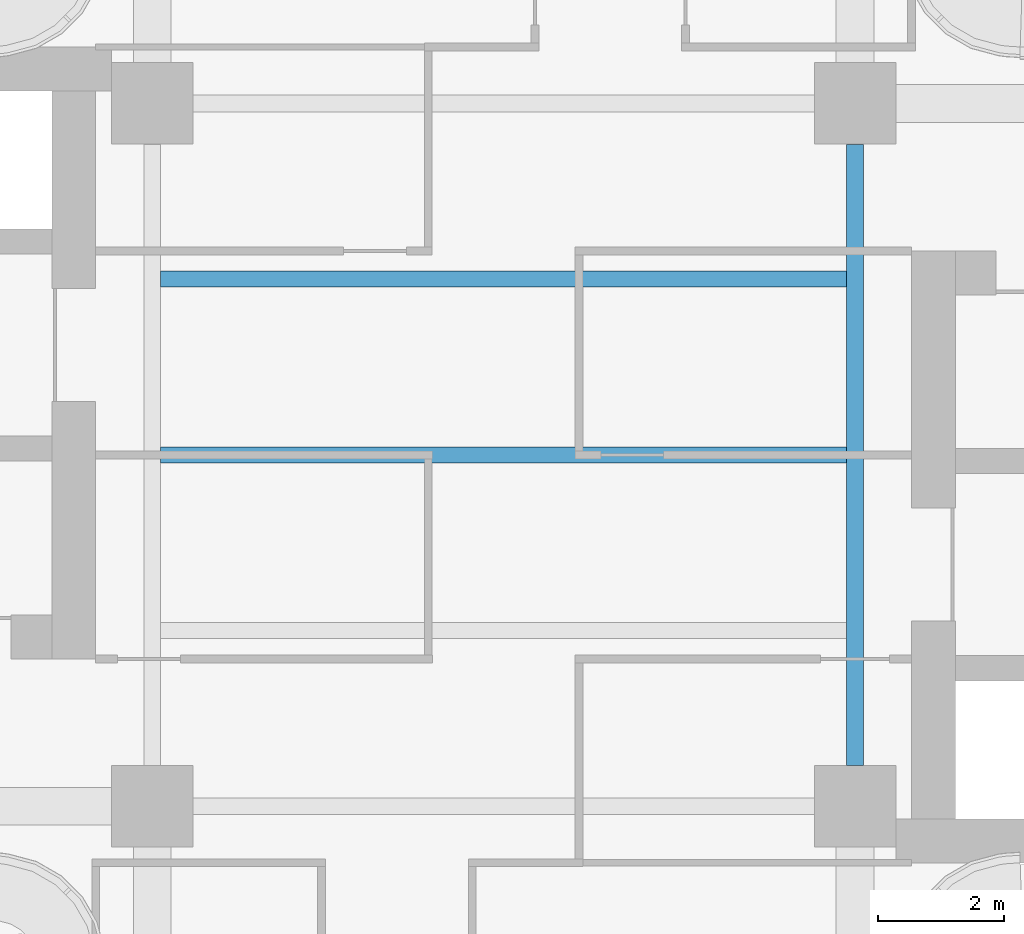
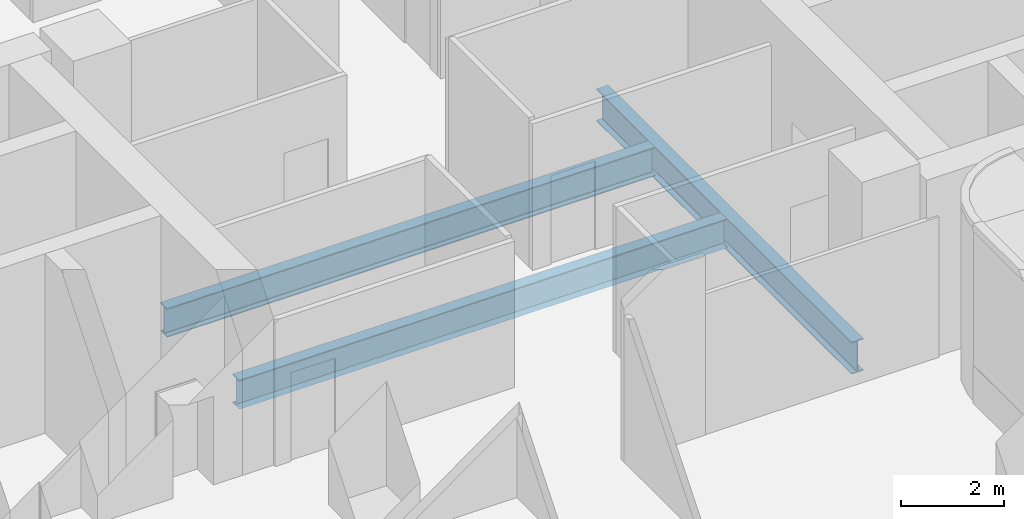
# One storey, part 6 of 21: 3 beams.
"""IFC4 building model written with IfcOpenShell, lengths in metres."""

from ifc_helpers import new_model, si_unit, direction, frame, origin, origin_2d, place, context, subcontext, project, spatial, i_section, extrude, source, transform, mapped, material, material_profile, profile_set, type_object, element, save


model = new_model("IFC4")

# Units and contexts
model_context = context("Model", 3, precision=1e-05, world=origin(), true_north=direction((0.0, 1.0)))
body_context = subcontext(model_context, "Body", "Model", "MODEL_VIEW")
ifc_project = project(units=[si_unit("LENGTHUNIT", "METRE"), si_unit("AREAUNIT", "SQUARE_METRE"), si_unit("VOLUMEUNIT", "CUBIC_METRE"), si_unit("PLANEANGLEUNIT", "RADIAN"), si_unit("MASSUNIT", "GRAM", prefix="KILO")], contexts=[model_context])

# Site, building, storey
site_placement = place(None, origin())
site = spatial("IfcSite", under=ifc_project, at=site_placement, CompositionType="ELEMENT")
building_placement = place(site_placement, origin())
building = spatial("IfcBuilding", under=site, at=building_placement, Name="Trellis Farm Tower", CompositionType="ELEMENT")
storey_placement = place(building_placement, frame((0.0, 0.0, 102.0)))
storey = spatial("IfcBuildingStorey", under=building, at=storey_placement, Name="L21", CompositionType="ELEMENT", Elevation=102.0)

# Beams
ifc_material = material(Name="Steel S355", Category="steel")
ifc_material_profile_1 = material_profile(ifc_material, i_section(OverallWidth=0.253662109375, OverallDepth=0.68359375, WebThickness=0.012451171875, FlangeThickness=0.021728515625, FilletRadius=0.01513671875, at=origin_2d()), Name="UB 686x254x140")
ifc_profile_set_1 = profile_set([ifc_material_profile_1], Name="Steel S355")
beam_type_1 = type_object("IfcBeamType", Name="UB 686x254x140 joist", PredefinedType="JOIST", material=ifc_profile_set_1)
shared_shape_1 = source(origin(), body_context, "Body", "SweptSolid", [
    extrude(i_section(OverallWidth=0.253662109375, OverallDepth=0.68359375, WebThickness=0.012451171875, FlangeThickness=0.021728515625, FilletRadius=0.01513671875, at=origin_2d()), origin(), (0.0, 0.0, 1.0), 10.93310546875),
])
for number, where, z_axis, x_axis, name in (
    (1, (-5.466552734375, 0.0, -0.591796875), (1.0, 0.0, 0.0), (0.0, 1.0, 0.0), "Floor beam"),
    (2, (-5.466552734375, 2.800048828125, -0.591796875), (1.0, 0.0, 0.0), (0.0, 1.0, 0.0), "Floor beam"),
):
    element("IfcBeam", number, at=place(storey_placement, frame(where, z_axis=z_axis, x_axis=x_axis)), inside=storey, type_object=beam_type_1, Name=name, PredefinedType="JOIST", context=body_context, shape_type="MappedRepresentation", body=[
        mapped(shared_shape_1, transform((0.0, 0.0, 0.0))),
    ])
ifc_material_profile_2 = material_profile(ifc_material, i_section(OverallWidth=0.2666015625, OverallDepth=0.76220703125, WebThickness=0.014404296875, FlangeThickness=0.021484375, FilletRadius=0.0166015625, at=origin_2d()), Name="UB 762x267x173")
ifc_profile_set_2 = profile_set([ifc_material_profile_2], Name="Steel S355")
beam_type_2 = type_object("IfcBeamType", Name="UB 762x267x173", PredefinedType="BEAM", material=ifc_profile_set_2)
shared_shape_2 = source(origin(), body_context, "Body", "SweptSolid", [
    extrude(i_section(OverallWidth=0.2666015625, OverallDepth=0.76220703125, WebThickness=0.014404296875, FlangeThickness=0.021484375, FilletRadius=0.0166015625, at=origin_2d()), origin(), (0.0, 0.0, 1.0), 9.89990234375),
])
beam_placement = place(storey_placement, frame((5.60009765625, -4.949951171875, -0.631103515625), z_axis=(0.0, 1.0, 0.0), x_axis=(-1.0, 0.0, 0.0)))
element("IfcBeam", 3, at=beam_placement, inside=storey, type_object=beam_type_2, Name="Girder", PredefinedType="BEAM", context=body_context, shape_type="MappedRepresentation", body=[
    mapped(shared_shape_2, transform((0.0, 0.0, 0.0))),
])

save(model, "model.ifc")
